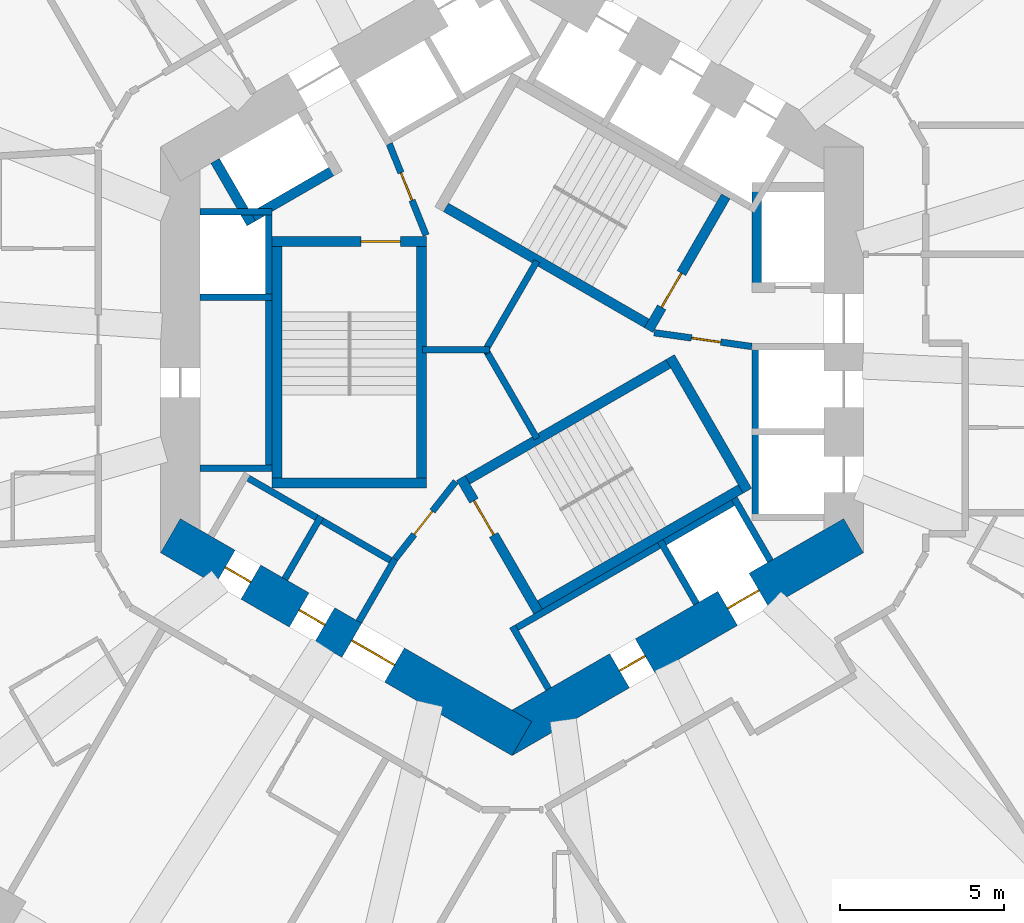
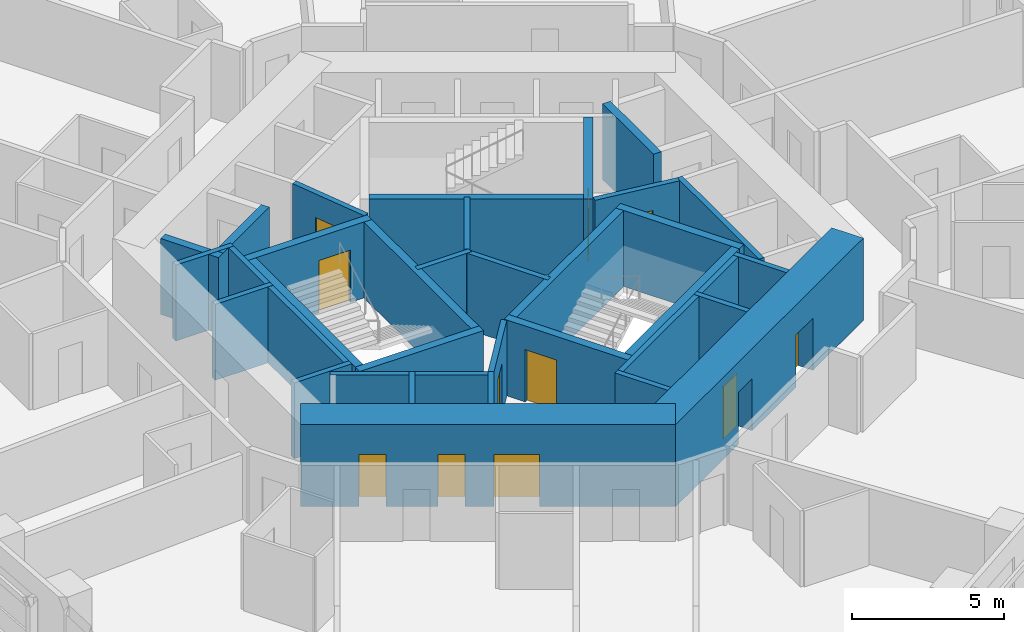
# One storey, part 5 of 12: 33 walls, 11 doors, 11 openings.
"""IFC4 building model written with IfcOpenShell, lengths in metres."""

from ifc_helpers import new_model, si_unit, direction, frame, frame_2d, origin, place, context, subcontext, project, spatial, rectangle, extrude, material, layer, layer_set, type_object, element, fill, save


model = new_model("IFC4")

# Units and contexts
model_context = context("Model", 3, precision=1e-05, world=origin(), true_north=direction((0.0, 1.0)))
body_context = subcontext(model_context, "Body", "Model", "MODEL_VIEW")
ifc_project = project(units=[si_unit("LENGTHUNIT", "METRE"), si_unit("AREAUNIT", "SQUARE_METRE"), si_unit("VOLUMEUNIT", "CUBIC_METRE"), si_unit("PLANEANGLEUNIT", "RADIAN"), si_unit("MASSUNIT", "GRAM", prefix="KILO")], contexts=[model_context])

# Site, building, storey
site_placement = place(None, origin())
site = spatial("IfcSite", under=ifc_project, at=site_placement, CompositionType="ELEMENT")
building_placement = place(site_placement, origin())
building = spatial("IfcBuilding", under=site, at=building_placement, Name="Vanh Sen Convention Tower", CompositionType="ELEMENT")
storey_placement = place(building_placement, frame((0.0, 0.0, 103.39990234375)))
storey = spatial("IfcBuildingStorey", under=building, at=storey_placement, Name="L24", CompositionType="ELEMENT", Elevation=103.39990234375)

# Wall, openings, doors
ifc_material_1 = material(Name="Concrete C80/95", Category="concrete")
ifc_layer_1 = layer(ifc_material_1, 1.199951171875)
ifc_layer_set_1 = layer_set([ifc_layer_1], Name="Concrete C80/95")
wall_type_1 = type_object("IfcWallType", Name="Core outer wall 1200 C80/95", PredefinedType="SHEAR", material=ifc_layer_set_1)
wall_1_placement = place(storey_placement, frame((-10.39990234375, -5.657958984375, 0.0), z_axis=(0.0, 0.0, 1.0), x_axis=(0.866021384402, -0.500006961711, 0.0)))
wall_1 = element("IfcWall", 1, at=wall_1_placement, inside=storey, type_object=wall_type_1, Name="Core wall face SW L24", PredefinedType="SHEAR", context=body_context, shape_type="SweptSolid", body=[
    extrude(rectangle(XDim=12.355224609375, YDim=1.199951171875, at=frame_2d((6.177734375, 0.0))), origin(), (0.0, 0.0, 1.0), 3.300048828125),
])
opening_1_placement = place(wall_1_placement, frame((6.377685546875, 0.0, 0.0)))
opening_1 = element("IfcOpeningElement", 2, at=opening_1_placement, cuts=wall_1, Name="Opening D22003", PredefinedType="OPENING", context=body_context, shape_type="SweptSolid", body=[
    extrude(rectangle(XDim=1.5, YDim=2.10009765625, at=frame_2d((0.75, 1.050048828125))), frame((0.0, 0.60986328125, 0.0), z_axis=(0.0, -1.0, 0.0), x_axis=(1.0, 0.0, 0.0)), (0.0, 0.0, 1.0), 1.219970703125),
])
opening_2_placement = place(wall_1_placement, frame((1.927734375, 0.0, 0.0)))
opening_2 = element("IfcOpeningElement", 3, at=opening_2_placement, cuts=wall_1, Name="Opening D22011", PredefinedType="OPENING", context=body_context, shape_type="SweptSolid", body=[
    extrude(rectangle(XDim=0.89990234375, YDim=2.10009765625, at=frame_2d((0.449951171875, 1.050048828125))), frame((0.0, 0.60986328125, 0.0), z_axis=(0.0, -1.0, 0.0), x_axis=(1.0, 0.0, 0.0)), (0.0, 0.0, 1.0), 1.219970703125),
])
opening_3_placement = place(wall_1_placement, frame((4.527587890625, 0.0, 0.0)))
opening_3 = element("IfcOpeningElement", 4, at=opening_3_placement, cuts=wall_1, Name="Opening D22012", PredefinedType="OPENING", context=body_context, shape_type="SweptSolid", body=[
    extrude(rectangle(XDim=0.89990234375, YDim=2.10009765625, at=frame_2d((0.449951171875, 1.050048828125))), frame((0.0, 0.60986328125, 0.0), z_axis=(0.0, -1.0, 0.0), x_axis=(1.0, 0.0, 0.0)), (0.0, 0.0, 1.0), 1.219970703125),
])
ifc_material_2 = material(Name="Steel S355", Category="steel")
door_type_1 = type_object("IfcDoorType", Name="Plant door 900", OperationType="SINGLE_SWING_LEFT", PredefinedType="DOOR", material=ifc_material_2)
door_1_placement = place(opening_2_placement, origin())
door_1 = element("IfcDoor", 5, at=door_1_placement, inside=storey, type_object=door_type_1, Name="Plant door D22011", OperationType="SINGLE_SWING_LEFT", OverallHeight=2.10009765625, OverallWidth=0.89990234375, PredefinedType="DOOR", context=body_context, shape_type="SweptSolid", body=[
    extrude(rectangle(XDim=0.89990234375, YDim=2.10009765625, at=frame_2d((0.449951171875, 1.050048828125))), frame((0.0, 0.02490234375, 0.0), z_axis=(0.0, -1.0, 0.0), x_axis=(1.0, 0.0, 0.0)), (0.0, 0.0, 1.0), 0.050048828125),
])
fill(opening_2, door_1)
door_2_placement = place(opening_3_placement, origin())
door_2 = element("IfcDoor", 6, at=door_2_placement, inside=storey, type_object=door_type_1, Name="Plant door D22012", OperationType="SINGLE_SWING_LEFT", OverallHeight=2.10009765625, OverallWidth=0.89990234375, PredefinedType="DOOR", context=body_context, shape_type="SweptSolid", body=[
    extrude(rectangle(XDim=0.89990234375, YDim=2.10009765625, at=frame_2d((0.449951171875, 1.050048828125))), frame((0.0, 0.02490234375, 0.0), z_axis=(0.0, -1.0, 0.0), x_axis=(1.0, 0.0, 0.0)), (0.0, 0.0, 1.0), 0.050048828125),
])
fill(opening_3, door_2)
door_type_2 = type_object("IfcDoorType", Name="Stair lobby door 1500", OperationType="DOUBLE_DOOR_SINGLE_SWING", PredefinedType="DOOR", material=ifc_material_2)
door_3_placement = place(opening_1_placement, origin())
door_3 = element("IfcDoor", 7, at=door_3_placement, inside=storey, type_object=door_type_2, Name="Stair lobby door D22003", OperationType="DOUBLE_DOOR_SINGLE_SWING", OverallHeight=2.10009765625, OverallWidth=1.5, PredefinedType="DOOR", context=body_context, shape_type="SweptSolid", body=[
    extrude(rectangle(XDim=1.5, YDim=2.10009765625, at=frame_2d((0.75, 1.050048828125))), frame((0.0, 0.02490234375, 0.0), z_axis=(0.0, -1.0, 0.0), x_axis=(1.0, 0.0, 0.0)), (0.0, 0.0, 1.0), 0.050048828125),
])
fill(opening_1, door_3)

wall_2_placement = place(storey_placement, frame((-0.300048828125, -11.835693359375, 0.0), z_axis=(0.0, 0.0, 1.0), x_axis=(0.866021384402, 0.500006961711, 0.0)))
wall_2 = element("IfcWall", 8, at=wall_2_placement, inside=storey, type_object=wall_type_1, Name="Core wall face SE L24", PredefinedType="SHEAR", context=body_context, shape_type="SweptSolid", body=[
    extrude(rectangle(XDim=12.355224609375, YDim=1.199951171875, at=frame_2d((6.177734375, 0.0))), origin(), (0.0, 0.0, 1.0), 3.300048828125),
])
opening_4_placement = place(wall_2_placement, frame((4.127685546875, 0.0, 0.0)))
opening_4 = element("IfcOpeningElement", 9, at=opening_4_placement, cuts=wall_2, Name="Opening D22013", PredefinedType="OPENING", context=body_context, shape_type="SweptSolid", body=[
    extrude(rectangle(XDim=0.89990234375, YDim=2.10009765625, at=frame_2d((0.449951171875, 1.050048828125))), frame((0.0, 0.60986328125, 0.0), z_axis=(0.0, -1.0, 0.0), x_axis=(1.0, 0.0, 0.0)), (0.0, 0.0, 1.0), 1.219970703125),
])
opening_5_placement = place(wall_2_placement, frame((7.927734375, 0.0, 0.0)))
opening_5 = element("IfcOpeningElement", 10, at=opening_5_placement, cuts=wall_2, Name="Opening LD-SV1", PredefinedType="OPENING", context=body_context, shape_type="SweptSolid", body=[
    extrude(rectangle(XDim=1.10009765625, YDim=2.10009765625, at=frame_2d((0.550048828125, 1.050048828125))), frame((0.0, 0.60986328125, 0.0), z_axis=(0.0, -1.0, 0.0), x_axis=(1.0, 0.0, 0.0)), (0.0, 0.0, 1.0), 1.219970703125),
])
ifc_material_3 = material(Name="Stainless steel", Category="steel")
door_type_3 = type_object("IfcDoorType", Name="Lift landing door 1100", OperationType="DOUBLE_DOOR_SLIDING", PredefinedType="DOOR", material=ifc_material_3)
door_4_placement = place(opening_5_placement, origin())
door_4 = element("IfcDoor", 11, at=door_4_placement, inside=storey, type_object=door_type_3, Name="Lift SV1 landing door LD-SV1", OperationType="DOUBLE_DOOR_SLIDING", OverallHeight=2.10009765625, OverallWidth=1.10009765625, PredefinedType="DOOR", context=body_context, shape_type="SweptSolid", body=[
    extrude(rectangle(XDim=1.10009765625, YDim=2.10009765625, at=frame_2d((0.550048828125, 1.050048828125))), frame((0.0, 0.02490234375, 0.0), z_axis=(0.0, -1.0, 0.0), x_axis=(1.0, 0.0, 0.0)), (0.0, 0.0, 1.0), 0.050048828125),
])
fill(opening_5, door_4)
door_5_placement = place(opening_4_placement, origin())
door_5 = element("IfcDoor", 12, at=door_5_placement, inside=storey, type_object=door_type_1, Name="Plant door D22013", OperationType="SINGLE_SWING_LEFT", OverallHeight=2.10009765625, OverallWidth=0.89990234375, PredefinedType="DOOR", context=body_context, shape_type="SweptSolid", body=[
    extrude(rectangle(XDim=0.89990234375, YDim=2.10009765625, at=frame_2d((0.449951171875, 1.050048828125))), frame((0.0, 0.02490234375, 0.0), z_axis=(0.0, -1.0, 0.0), x_axis=(1.0, 0.0, 0.0)), (0.0, 0.0, 1.0), 0.050048828125),
])
fill(opening_4, door_5)

# Walls
ifc_material_4 = material(Name="Masonry blockwork", Category="masonry")
ifc_layer_2 = layer(ifc_material_4, 0.199951171875)
ifc_layer_set_2 = layer_set([ifc_layer_2], Name="Masonry blockwork")
wall_type_2 = type_object("IfcWallType", Name="Core partition 200", PredefinedType="PARTITIONING", material=ifc_layer_set_2)
wall_3_placement = place(storey_placement, frame((-0.679931640625, 0.0, 0.0), z_axis=(0.0, 0.0, 1.0), x_axis=(-1.0, 0.0, 0.0)))
element("IfcWall", 13, at=wall_3_placement, inside=storey, type_object=wall_type_2, Name="Core partition L24", PredefinedType="PARTITIONING", context=body_context, shape_type="SweptSolid", body=[
    extrude(rectangle(XDim=2.0400390625, YDim=0.199951171875, at=frame_2d((1.02001953125, 0.0))), origin(), (0.0, 0.0, 1.0), 3.050048828125),
])
for number, where, z_axis, x_axis, name in (
    (14, (-0.860107421875, -0.10400390625, 0.0), (0.0, 0.0, 1.0), (0.500029011134, 0.866008653551, 0.0), "Core partition L24"),
    (15, (-0.860107421875, 0.10400390625, 0.0), (0.0, 0.0, 1.0), (0.500029011134, -0.866008653551, 0.0), "Core partition L24"),
):
    element("IfcWall", number, at=place(storey_placement, frame(where, z_axis=z_axis, x_axis=x_axis)), inside=storey, type_object=wall_type_2, Name=name, PredefinedType="PARTITIONING", context=body_context, shape_type="SweptSolid", body=[
        extrude(rectangle(XDim=3.239990234375, YDim=0.199951171875, at=frame_2d((1.6201171875, 0.0))), origin(), (0.0, 0.0, 1.0), 3.050048828125),
    ])
ifc_material_5 = material(Name="Concrete C60/75", Category="concrete")
ifc_layer_3 = layer(ifc_material_5, 0.300048828125)
ifc_layer_set_3 = layer_set([ifc_layer_3], Name="Concrete C60/75")
wall_type_3 = type_object("IfcWallType", Name="Fire-fighting lift shaft wall 300", PredefinedType="SHEAR", material=ifc_layer_set_3)
wall_4_placement = place(storey_placement, frame((7.449951171875, 1.75, 0.0), z_axis=(0.0, 0.0, 1.0), x_axis=(0.0, 1.0, 0.0)))
element("IfcWall", 16, at=wall_4_placement, inside=storey, type_object=wall_type_3, Name="Fire-fighting lift shaft wall L24", PredefinedType="SHEAR", context=body_context, shape_type="SweptSolid", body=[
    extrude(rectangle(XDim=3.35009765625, YDim=0.300048828125, at=frame_2d((1.675048828125, 0.0))), origin(), (0.0, 0.0, 1.0), 3.050048828125),
])
wall_5_placement = place(storey_placement, frame((-5.240478515625, 5.576904296875, 0.0), z_axis=(0.0, 0.0, 1.0), x_axis=(-0.866014461049, -0.500018952895, 0.0)))
element("IfcWall", 17, at=wall_5_placement, inside=storey, type_object=wall_type_3, Name="Fire-fighting lift shaft wall L24", PredefinedType="SHEAR", context=body_context, shape_type="SweptSolid", body=[
    extrude(rectangle(XDim=3.349853515625, YDim=0.300048828125, at=frame_2d((1.6748046875, 0.0))), origin(), (0.0, 0.0, 1.0), 3.050048828125),
])
wall_6_placement = place(storey_placement, frame((-7.936767578125, 3.846923828125, 0.0), z_axis=(0.0, 0.0, 1.0), x_axis=(-0.50002983664, 0.866008176907, 0.0)))
element("IfcWall", 18, at=wall_6_placement, inside=storey, type_object=wall_type_3, Name="Fire-fighting lift shaft wall L24", PredefinedType="SHEAR", context=body_context, shape_type="SweptSolid", body=[
    extrude(rectangle(XDim=2.199951171875, YDim=0.300048828125, at=frame_2d((1.10009765625, 0.0))), origin(), (0.0, 0.0, 1.0), 3.050048828125),
])
ifc_material_6 = material(Name="Concrete C40/50", Category="concrete")
ifc_layer_4 = layer(ifc_material_6, 0.199951171875)
ifc_layer_set_4 = layer_set([ifc_layer_4], Name="Concrete C40/50")
wall_type_4 = type_object("IfcWallType", Name="Lift shaft wall 200", PredefinedType="PARTITIONING", material=ifc_layer_set_4)
wall_7_placement = place(storey_placement, frame((7.39990234375, -5.199951171875, 0.0), z_axis=(0.0, 0.0, 1.0), x_axis=(0.0, 1.0, 0.0)))
element("IfcWall", 19, at=wall_7_placement, inside=storey, type_object=wall_type_4, Name="Lift shaft wall L24", PredefinedType="PARTITIONING", context=body_context, shape_type="SweptSolid", body=[
    extrude(rectangle(XDim=5.39990234375, YDim=0.199951171875, at=frame_2d((2.699951171875, 0.0))), origin(), (0.0, 0.0, 1.0), 3.050048828125),
])
wall_8_placement = place(storey_placement, frame((-7.39990234375, 4.300048828125, 0.0), z_axis=(0.0, 0.0, 1.0), x_axis=(0.0, -1.0, 0.0)))
element("IfcWall", 20, at=wall_8_placement, inside=storey, type_object=wall_type_4, Name="Lift shaft wall L24", PredefinedType="PARTITIONING", context=body_context, shape_type="SweptSolid", body=[
    extrude(rectangle(XDim=8.0, YDim=0.199951171875, at=frame_2d((4.0, 0.0))), origin(), (0.0, 0.0, 1.0), 3.050048828125),
])
for number, where, z_axis, x_axis, name in (
    (21, (-7.300048828125, 4.199951171875, 0.0), (0.0, 0.0, 1.0), (-1.0, 0.0, 0.0), "Lift shaft wall L24"),
    (22, (-7.300048828125, 1.60009765625, 0.0), (0.0, 0.0, 1.0), (-1.0, 0.0, 0.0), "Lift shaft wall L24"),
    (23, (-7.300048828125, -3.60009765625, 0.0), (0.0, 0.0, 1.0), (-1.0, 0.0, 0.0), "Lift shaft wall L24"),
):
    element("IfcWall", number, at=place(storey_placement, frame(where, z_axis=z_axis, x_axis=x_axis)), inside=storey, type_object=wall_type_4, Name=name, PredefinedType="PARTITIONING", context=body_context, shape_type="SweptSolid", body=[
        extrude(rectangle(XDim=2.199951171875, YDim=0.199951171875, at=frame_2d((1.10009765625, 0.0))), origin(), (0.0, 0.0, 1.0), 3.050048828125),
    ])
wall_9_placement = place(storey_placement, frame((-8.203369140625, -3.80859375, 0.0), z_axis=(0.0, 0.0, 1.0), x_axis=(0.866028230842, -0.499995103361, 0.0)))
element("IfcWall", 24, at=wall_9_placement, inside=storey, type_object=wall_type_4, Name="Lift shaft wall L24", PredefinedType="PARTITIONING", context=body_context, shape_type="SweptSolid", body=[
    extrude(rectangle(XDim=5.39990234375, YDim=0.199951171875, at=frame_2d((2.699951171875, 0.0))), origin(), (0.0, 0.0, 1.0), 3.050048828125),
])
wall_10_placement = place(storey_placement, frame((-5.815185546875, -5.072021484375, 0.0), z_axis=(0.0, 0.0, 1.0), x_axis=(-0.499946605688, -0.86605622881, 0.0)))
element("IfcWall", 25, at=wall_10_placement, inside=storey, type_object=wall_type_4, Name="Lift shaft wall L24", PredefinedType="PARTITIONING", context=body_context, shape_type="SweptSolid", body=[
    extrude(rectangle(XDim=2.199951171875, YDim=0.199951171875, at=frame_2d((1.10009765625, 0.0))), origin(), (0.0, 0.0, 1.0), 3.050048828125),
])
wall_11_placement = place(storey_placement, frame((-3.5634765625, -6.3720703125, 0.0), z_axis=(0.0, 0.0, 1.0), x_axis=(-0.499994660107, -0.866028486751, 0.0)))
element("IfcWall", 26, at=wall_11_placement, inside=storey, type_object=wall_type_4, Name="Lift shaft wall L24", PredefinedType="PARTITIONING", context=body_context, shape_type="SweptSolid", body=[
    extrude(rectangle(XDim=2.19970703125, YDim=0.199951171875, at=frame_2d((1.099853515625, 0.0))), origin(), (0.0, 0.0, 1.0), 3.050048828125),
])
wall_12_placement = place(storey_placement, frame((-0.02392578125, -8.55859375, 0.0), z_axis=(0.0, 0.0, 1.0), x_axis=(0.866026010844, 0.49999894854, 0.0)))
element("IfcWall", 27, at=wall_12_placement, inside=storey, type_object=wall_type_4, Name="Lift shaft wall L24", PredefinedType="PARTITIONING", context=body_context, shape_type="SweptSolid", body=[
    extrude(rectangle(XDim=8.0, YDim=0.199951171875, at=frame_2d((4.0, 0.0))), origin(), (0.0, 0.0, 1.0), 3.050048828125),
])
for number, where, z_axis, x_axis, name in (
    (28, (0.0126953125, -8.422119140625, 0.0), (0.0, 0.0, 1.0), (0.500077893725, -0.86598042715, 0.0), "Lift shaft wall L24"),
    (29, (4.51611328125, -5.822021484375, 0.0), (0.0, 0.0, 1.0), (0.499946605688, -0.86605622881, 0.0), "Lift shaft wall L24"),
    (30, (6.767578125, -4.52197265625, 0.0), (0.0, 0.0, 1.0), (0.50002983664, -0.866008176907, 0.0), "Lift shaft wall L24"),
):
    element("IfcWall", number, at=place(storey_placement, frame(where, z_axis=z_axis, x_axis=x_axis)), inside=storey, type_object=wall_type_4, Name=name, PredefinedType="PARTITIONING", context=body_context, shape_type="SweptSolid", body=[
        extrude(rectangle(XDim=2.199951171875, YDim=0.199951171875, at=frame_2d((1.10009765625, 0.0))), origin(), (0.0, 0.0, 1.0), 3.050048828125),
    ])

# Wall, opening, door
ifc_layer_5 = layer(ifc_material_6, 0.199951171875)
ifc_layer_set_5 = layer_set([ifc_layer_5], Name="Concrete C40/50")
wall_type_5 = type_object("IfcWallType", Name="Stair lobby wall 200", PredefinedType="PARTITIONING", material=ifc_layer_set_5)
wall_13_placement = place(storey_placement, frame((4.327392578125, 0.52099609375, 0.0), z_axis=(0.0, 0.0, 1.0), x_axis=(0.990124376366, -0.14019172346, 0.0)))
wall_13 = element("IfcWall", 31, at=wall_13_placement, inside=storey, type_object=wall_type_5, Name="Stair lobby wall L24", PredefinedType="PARTITIONING", context=body_context, shape_type="SweptSolid", body=[
    extrude(rectangle(XDim=3.002197265625, YDim=0.199951171875, at=frame_2d((1.5009765625, 0.0))), origin(), (0.0, 0.0, 1.0), 3.050048828125),
])
opening_6_placement = place(wall_13_placement, frame((1.14990234375, 0.0, 0.0)))
opening_6 = element("IfcOpeningElement", 32, at=opening_6_placement, cuts=wall_13, Name="Opening D22007", PredefinedType="OPENING", context=body_context, shape_type="SweptSolid", body=[
    extrude(rectangle(XDim=0.89990234375, YDim=2.10009765625, at=frame_2d((0.449951171875, 1.050048828125))), frame((0.0, 0.10986328125, 0.0), z_axis=(0.0, -1.0, 0.0), x_axis=(1.0, 0.0, 0.0)), (0.0, 0.0, 1.0), 0.219970703125),
])
door_6_placement = place(opening_6_placement, origin())
door_6 = element("IfcDoor", 33, at=door_6_placement, inside=storey, type_object=door_type_1, Name="Plant door D22007", OperationType="SINGLE_SWING_LEFT", OverallHeight=2.10009765625, OverallWidth=0.89990234375, PredefinedType="DOOR", context=body_context, shape_type="SweptSolid", body=[
    extrude(rectangle(XDim=0.89990234375, YDim=2.10009765625, at=frame_2d((0.449951171875, 1.050048828125))), frame((0.0, 0.02490234375, 0.0), z_axis=(0.0, -1.0, 0.0), x_axis=(1.0, 0.0, 0.0)), (0.0, 0.0, 1.0), 0.050048828125),
])
fill(opening_6, door_6)

wall_14_placement = place(storey_placement, frame((-2.614990234375, 3.487060546875, 0.0), z_axis=(0.0, 0.0, 1.0), x_axis=(-0.373576831041, 0.92759924068, 0.0)))
wall_14 = element("IfcWall", 34, at=wall_14_placement, inside=storey, type_object=wall_type_5, Name="Stair lobby wall L24", PredefinedType="PARTITIONING", context=body_context, shape_type="SweptSolid", body=[
    extrude(rectangle(XDim=3.002197265625, YDim=0.199951171875, at=frame_2d((1.5009765625, 0.0))), origin(), (0.0, 0.0, 1.0), 3.050048828125),
])
opening_7_placement = place(wall_14_placement, frame((1.14990234375, 0.0, 0.0)))
opening_7 = element("IfcOpeningElement", 35, at=opening_7_placement, cuts=wall_14, Name="Opening D22008", PredefinedType="OPENING", context=body_context, shape_type="SweptSolid", body=[
    extrude(rectangle(XDim=0.89990234375, YDim=2.10009765625, at=frame_2d((0.449951171875, 1.050048828125))), frame((0.0, 0.10986328125, 0.0), z_axis=(0.0, -1.0, 0.0), x_axis=(1.0, 0.0, 0.0)), (0.0, 0.0, 1.0), 0.219970703125),
])
door_7_placement = place(opening_7_placement, origin())
door_7 = element("IfcDoor", 36, at=door_7_placement, inside=storey, type_object=door_type_1, Name="Plant door D22008", OperationType="SINGLE_SWING_LEFT", OverallHeight=2.10009765625, OverallWidth=0.89990234375, PredefinedType="DOOR", context=body_context, shape_type="SweptSolid", body=[
    extrude(rectangle(XDim=0.89990234375, YDim=2.10009765625, at=frame_2d((0.449951171875, 1.050048828125))), frame((0.0, 0.02490234375, 0.0), z_axis=(0.0, -1.0, 0.0), x_axis=(1.0, 0.0, 0.0)), (0.0, 0.0, 1.0), 0.050048828125),
])
fill(opening_7, door_7)

wall_15_placement = place(storey_placement, frame((-1.71240234375, -4.00830078125, 0.0), z_axis=(0.0, 0.0, 1.0), x_axis=(-0.616549420702, -0.787316208287, 0.0)))
wall_15 = element("IfcWall", 37, at=wall_15_placement, inside=storey, type_object=wall_type_5, Name="Stair lobby wall L24", PredefinedType="PARTITIONING", context=body_context, shape_type="SweptSolid", body=[
    extrude(rectangle(XDim=3.002197265625, YDim=0.199951171875, at=frame_2d((1.5009765625, 0.0))), origin(), (0.0, 0.0, 1.0), 3.050048828125),
])
opening_8_placement = place(wall_15_placement, frame((1.14990234375, 0.0, 0.0)))
opening_8 = element("IfcOpeningElement", 38, at=opening_8_placement, cuts=wall_15, Name="Opening D22009", PredefinedType="OPENING", context=body_context, shape_type="SweptSolid", body=[
    extrude(rectangle(XDim=0.89990234375, YDim=2.10009765625, at=frame_2d((0.449951171875, 1.050048828125))), frame((0.0, 0.10986328125, 0.0), z_axis=(0.0, -1.0, 0.0), x_axis=(1.0, 0.0, 0.0)), (0.0, 0.0, 1.0), 0.219970703125),
])
door_8_placement = place(opening_8_placement, origin())
door_8 = element("IfcDoor", 39, at=door_8_placement, inside=storey, type_object=door_type_1, Name="Plant door D22009", OperationType="SINGLE_SWING_LEFT", OverallHeight=2.10009765625, OverallWidth=0.89990234375, PredefinedType="DOOR", context=body_context, shape_type="SweptSolid", body=[
    extrude(rectangle(XDim=0.89990234375, YDim=2.10009765625, at=frame_2d((0.449951171875, 1.050048828125))), frame((0.0, 0.02490234375, 0.0), z_axis=(0.0, -1.0, 0.0), x_axis=(1.0, 0.0, 0.0)), (0.0, 0.0, 1.0), 0.050048828125),
])
fill(opening_8, door_8)

ifc_layer_6 = layer(ifc_material_5, 0.300048828125)
ifc_layer_set_6 = layer_set([ifc_layer_6], Name="Concrete C60/75")
wall_type_6 = type_object("IfcWallType", Name="Stair wall 300", PredefinedType="SHEAR", material=ifc_layer_set_6)
wall_16_placement = place(storey_placement, frame((4.157958984375, 0.601806640625, 0.0), z_axis=(0.0, 0.0, 1.0), x_axis=(0.499977259774, 0.866038532462, 0.0)))
wall_16 = element("IfcWall", 40, at=wall_16_placement, inside=storey, type_object=wall_type_6, Name="Stair wall L24", PredefinedType="SHEAR", context=body_context, shape_type="SweptSolid", body=[
    extrude(rectangle(XDim=4.699951171875, YDim=0.300048828125, at=frame_2d((2.35009765625, 0.0))), origin(), (0.0, 0.0, 1.0), 3.050048828125),
])
opening_9_placement = place(wall_16_placement, frame((0.800048828125, 0.0, 0.0)))
opening_9 = element("IfcOpeningElement", 41, at=opening_9_placement, cuts=wall_16, Name="Opening D22004", PredefinedType="OPENING", context=body_context, shape_type="SweptSolid", body=[
    extrude(rectangle(XDim=1.199951171875, YDim=2.10009765625, at=frame_2d((0.60009765625, 1.050048828125))), frame((0.0, 0.159912109375, 0.0), z_axis=(0.0, -1.0, 0.0), x_axis=(1.0, 0.0, 0.0)), (0.0, 0.0, 1.0), 0.320068359375),
])
door_type_4 = type_object("IfcDoorType", Name="Stair door 1200", OperationType="SINGLE_SWING_RIGHT", PredefinedType="DOOR", material=ifc_material_2)
door_9_placement = place(opening_9_placement, origin())
door_9 = element("IfcDoor", 42, at=door_9_placement, inside=storey, type_object=door_type_4, Name="Stair ST1 door D22004", OperationType="SINGLE_SWING_RIGHT", OverallHeight=2.10009765625, OverallWidth=1.199951171875, PredefinedType="DOOR", context=body_context, shape_type="SweptSolid", body=[
    extrude(rectangle(XDim=1.199951171875, YDim=2.10009765625, at=frame_2d((0.60009765625, 1.050048828125))), frame((0.0, 0.02490234375, 0.0), z_axis=(0.0, -1.0, 0.0), x_axis=(1.0, 0.0, 0.0)), (0.0, 0.0, 1.0), 0.050048828125),
])
fill(opening_9, door_9)

# Wall
wall_17_placement = place(storey_placement, frame((4.10302734375, 0.806640625, 0.0), z_axis=(0.0, 0.0, 1.0), x_axis=(-0.866027801685, 0.499995846692, 0.0)))
element("IfcWall", 43, at=wall_17_placement, inside=storey, type_object=wall_type_6, Name="Stair wall L24", PredefinedType="SHEAR", context=body_context, shape_type="SweptSolid", body=[
    extrude(rectangle(XDim=7.06005859375, YDim=0.300048828125, at=frame_2d((3.530029296875, 0.0))), origin(), (0.0, 0.0, 1.0), 3.050048828125),
])

# Wall, opening, door
wall_18_placement = place(storey_placement, frame((-2.60009765625, 3.300048828125, 0.0), z_axis=(0.0, 0.0, 1.0), x_axis=(-1.0, 0.0, 0.0)))
wall_18 = element("IfcWall", 44, at=wall_18_placement, inside=storey, type_object=wall_type_6, Name="Stair wall L24", PredefinedType="SHEAR", context=body_context, shape_type="SweptSolid", body=[
    extrude(rectangle(XDim=4.699951171875, YDim=0.300048828125, at=frame_2d((2.35009765625, 0.0))), origin(), (0.0, 0.0, 1.0), 3.050048828125),
])
opening_10_placement = place(wall_18_placement, frame((0.800048828125, 0.0, 0.0)))
opening_10 = element("IfcOpeningElement", 45, at=opening_10_placement, cuts=wall_18, Name="Opening D22005", PredefinedType="OPENING", context=body_context, shape_type="SweptSolid", body=[
    extrude(rectangle(XDim=1.199951171875, YDim=2.10009765625, at=frame_2d((0.60009765625, 1.050048828125))), frame((0.0, 0.159912109375, 0.0), z_axis=(0.0, -1.0, 0.0), x_axis=(1.0, 0.0, 0.0)), (0.0, 0.0, 1.0), 0.320068359375),
])
door_10_placement = place(opening_10_placement, origin())
door_10 = element("IfcDoor", 46, at=door_10_placement, inside=storey, type_object=door_type_4, Name="Stair ST2 door D22005", OperationType="SINGLE_SWING_RIGHT", OverallHeight=2.10009765625, OverallWidth=1.199951171875, PredefinedType="DOOR", context=body_context, shape_type="SweptSolid", body=[
    extrude(rectangle(XDim=1.199951171875, YDim=2.10009765625, at=frame_2d((0.60009765625, 1.050048828125))), frame((0.0, 0.02490234375, 0.0), z_axis=(0.0, -1.0, 0.0), x_axis=(1.0, 0.0, 0.0)), (0.0, 0.0, 1.0), 0.050048828125),
])
fill(opening_10, door_10)

# Walls
wall_19_placement = place(storey_placement, frame((-2.60009765625, -4.06005859375, 0.0), z_axis=(0.0, 0.0, 1.0), x_axis=(-1.0, 0.0, 0.0)))
element("IfcWall", 47, at=wall_19_placement, inside=storey, type_object=wall_type_6, Name="Stair wall L24", PredefinedType="SHEAR", context=body_context, shape_type="SweptSolid", body=[
    extrude(rectangle(XDim=4.699951171875, YDim=0.300048828125, at=frame_2d((2.35009765625, 0.0))), origin(), (0.0, 0.0, 1.0), 3.050048828125),
])
for number, where, z_axis, x_axis, name in (
    (48, (-2.75, 3.14990234375, 0.0), (0.0, 0.0, 1.0), (0.0, -1.0, 0.0), "Stair wall L24"),
    (49, (-7.14990234375, 3.14990234375, 0.0), (0.0, 0.0, 1.0), (0.0, -1.0, 0.0), "Stair wall L24"),
):
    element("IfcWall", number, at=place(storey_placement, frame(where, z_axis=z_axis, x_axis=x_axis)), inside=storey, type_object=wall_type_6, Name=name, PredefinedType="SHEAR", context=body_context, shape_type="SweptSolid", body=[
        extrude(rectangle(XDim=7.059814453125, YDim=0.300048828125, at=frame_2d((3.52978515625, 0.0))), origin(), (0.0, 0.0, 1.0), 3.050048828125),
    ])

# Wall, opening, door
wall_20_placement = place(storey_placement, frame((-1.557861328125, -3.901611328125, 0.0), z_axis=(0.0, 0.0, 1.0), x_axis=(0.499977259774, -0.866038532462, 0.0)))
wall_20 = element("IfcWall", 50, at=wall_20_placement, inside=storey, type_object=wall_type_6, Name="Stair wall L24", PredefinedType="SHEAR", context=body_context, shape_type="SweptSolid", body=[
    extrude(rectangle(XDim=4.699951171875, YDim=0.300048828125, at=frame_2d((2.35009765625, 0.0))), origin(), (0.0, 0.0, 1.0), 3.050048828125),
])
opening_11_placement = place(wall_20_placement, frame((0.800048828125, 0.0, 0.0)))
opening_11 = element("IfcOpeningElement", 51, at=opening_11_placement, cuts=wall_20, Name="Opening D22006", PredefinedType="OPENING", context=body_context, shape_type="SweptSolid", body=[
    extrude(rectangle(XDim=1.199951171875, YDim=2.10009765625, at=frame_2d((0.60009765625, 1.050048828125))), frame((0.0, 0.159912109375, 0.0), z_axis=(0.0, -1.0, 0.0), x_axis=(1.0, 0.0, 0.0)), (0.0, 0.0, 1.0), 0.320068359375),
])
door_11_placement = place(opening_11_placement, origin())
door_11 = element("IfcDoor", 52, at=door_11_placement, inside=storey, type_object=door_type_4, Name="Stair ST3 door D22006", OperationType="SINGLE_SWING_RIGHT", OverallHeight=2.10009765625, OverallWidth=1.199951171875, PredefinedType="DOOR", context=body_context, shape_type="SweptSolid", body=[
    extrude(rectangle(XDim=1.199951171875, YDim=2.10009765625, at=frame_2d((0.60009765625, 1.050048828125))), frame((0.0, 0.02490234375, 0.0), z_axis=(0.0, -1.0, 0.0), x_axis=(1.0, 0.0, 0.0)), (0.0, 0.0, 1.0), 0.050048828125),
])
fill(opening_11, door_11)

# Walls
wall_21_placement = place(storey_placement, frame((4.816162109375, -0.2216796875, 0.0), z_axis=(0.0, 0.0, 1.0), x_axis=(0.499977259774, -0.866038532462, 0.0)))
element("IfcWall", 53, at=wall_21_placement, inside=storey, type_object=wall_type_6, Name="Stair wall L24", PredefinedType="SHEAR", context=body_context, shape_type="SweptSolid", body=[
    extrude(rectangle(XDim=4.699951171875, YDim=0.300048828125, at=frame_2d((2.35009765625, 0.0))), origin(), (0.0, 0.0, 1.0), 3.050048828125),
])
for number, where, z_axis, x_axis, name in (
    (54, (-1.35302734375, -3.95654296875, 0.0), (0.0, 0.0, 1.0), (0.866027801685, 0.499995846692, 0.0), "Stair wall L24"),
    (55, (0.846923828125, -7.76708984375, 0.0), (0.0, 0.0, 1.0), (0.866027801685, 0.499995846692, 0.0), "Stair wall L24"),
):
    element("IfcWall", number, at=place(storey_placement, frame(where, z_axis=z_axis, x_axis=x_axis)), inside=storey, type_object=wall_type_6, Name=name, PredefinedType="SHEAR", context=body_context, shape_type="SweptSolid", body=[
        extrude(rectangle(XDim=7.06005859375, YDim=0.300048828125, at=frame_2d((3.530029296875, 0.0))), origin(), (0.0, 0.0, 1.0), 3.050048828125),
    ])

save(model, "model.ifc")
